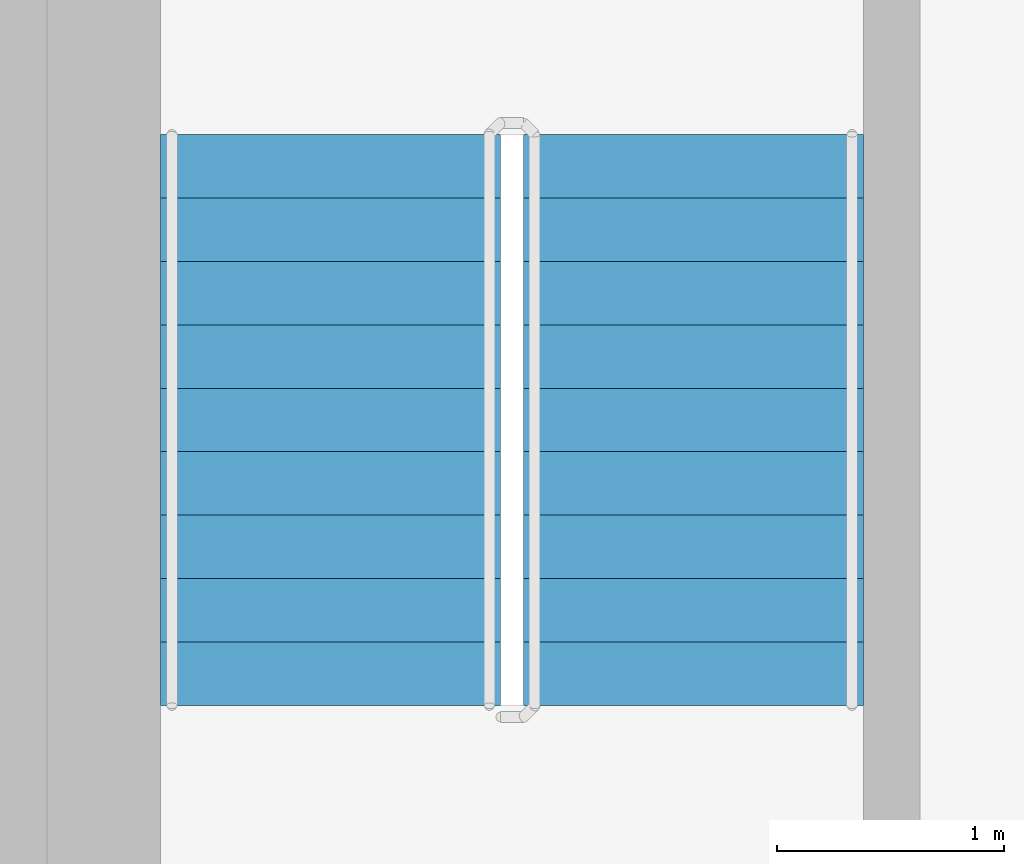
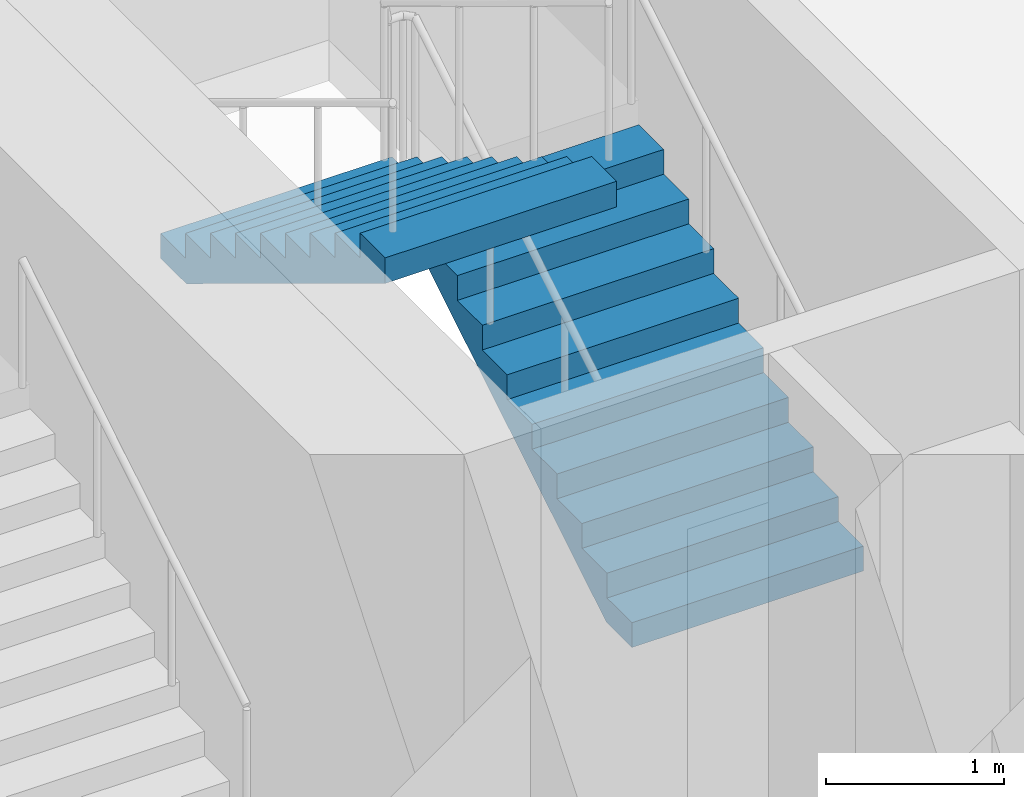
# One storey, part 14 of 22: 2 stair flights, 1 element without a shape of its own.
"""IFC4 building model written with IfcOpenShell, lengths in metres."""

from ifc_helpers import new_model, si_unit, direction, frame, origin, place, context, subcontext, project, spatial, triangles, source, transform, mapped, material, type_object, element, aggregate, save


model = new_model("IFC4")

# Units and contexts
model_context = context("Model", 3, precision=1e-05, world=origin(), true_north=direction((0.0, 1.0)))
body_context = subcontext(model_context, "Body", "Model", "MODEL_VIEW")
ifc_project = project(units=[si_unit("LENGTHUNIT", "METRE"), si_unit("AREAUNIT", "SQUARE_METRE"), si_unit("VOLUMEUNIT", "CUBIC_METRE"), si_unit("PLANEANGLEUNIT", "RADIAN"), si_unit("MASSUNIT", "GRAM", prefix="KILO")], contexts=[model_context])

# Site, building, storey
site_placement = place(None, origin())
site = spatial("IfcSite", under=ifc_project, at=site_placement, CompositionType="ELEMENT")
building_placement = place(site_placement, origin())
building = spatial("IfcBuilding", under=site, at=building_placement, Name="Kilnfold Tower and Market Hall", CompositionType="ELEMENT")
storey_placement = place(building_placement, frame((0.0, 0.0, 206.699951171875)))
storey = spatial("IfcBuildingStorey", under=building, at=storey_placement, Name="L50", CompositionType="ELEMENT", Elevation=206.699951171875)

# Stair, stair flights
ifc_material_1 = material(Name="Concrete C40/50", Category="concrete")
stair_type = type_object("IfcStairType", Name="CORE STAIR 1500", PredefinedType="HALF_TURN_STAIR", material=ifc_material_1)
stair_placement = place(storey_placement, origin())
stair = element("IfcStair", 1, at=stair_placement, inside=storey, type_object=stair_type, Name="L50 ST5", PredefinedType="HALF_TURN_STAIR")
ifc_material_2 = material(Name="Concrete C40/50", Category="concrete")
stair_flight_type = type_object("IfcStairFlightType", Name="CORE STAIR FLIGHT 1500", PredefinedType="STRAIGHT", material=ifc_material_2)
shared_shape = source(origin(), body_context, "Body", "Tessellation", [
    triangles([(0.0, 0.75, 0.0), (0.0, 0.65625, 0.0), (0.0, 0.5625, 0.0), (0.0, 0.46875, 0.0), (0.0, 0.375, 0.0), (0.0, 0.28125, 0.0), (0.0, 0.1875, 0.0), (0.0, 0.09375, 0.0), (0.0, 0.0, 0.0), (0.0, -0.09375, 0.0), (0.0, -0.1875, 0.0), (0.0, -0.28125, 0.0), (0.0, -0.375, 0.0), (0.0, -0.46875, 0.0), (0.0, -0.5625, 0.0), (0.0, -0.65625, 0.0), (0.0, -0.75, 0.0), (0.0, 0.75, 0.169921875), (0.0, 0.65625, 0.169921875), (0.0, 0.5625, 0.169921875), (0.0, 0.46875, 0.169921875), (0.0, 0.375, 0.169921875), (0.0, 0.28125, 0.169921875), (0.0, 0.1875, 0.169921875), (0.0, 0.09375, 0.169921875), (0.0, 0.0, 0.169921875), (0.0, -0.09375, 0.169921875), (0.0, -0.1875, 0.169921875), (0.0, -0.28125, 0.169921875), (0.0, -0.375, 0.169921875), (0.0, -0.46875, 0.169921875), (0.0, -0.5625, 0.169921875), (0.0, -0.65625, 0.169921875), (0.0, -0.75, 0.169921875), (0.280029296875, 0.75, 0.169921875), (0.280029296875, 0.65625, 0.169921875), (0.280029296875, 0.5625, 0.169921875), (0.280029296875, 0.46875, 0.169921875), (0.280029296875, 0.375, 0.169921875), (0.280029296875, 0.28125, 0.169921875), (0.280029296875, 0.1875, 0.169921875), (0.280029296875, 0.09375, 0.169921875), (0.280029296875, 0.0, 0.169921875), (0.280029296875, -0.09375, 0.169921875), (0.280029296875, -0.1875, 0.169921875), (0.280029296875, -0.28125, 0.169921875), (0.280029296875, -0.375, 0.169921875), (0.280029296875, -0.46875, 0.169921875), (0.280029296875, -0.5625, 0.169921875), (0.280029296875, -0.65625, 0.169921875), (0.280029296875, -0.75, 0.169921875), (0.280029296875, 0.75, 0.340087890625), (0.280029296875, 0.65625, 0.340087890625), (0.280029296875, 0.5625, 0.340087890625), (0.280029296875, 0.46875, 0.340087890625), (0.280029296875, 0.375, 0.340087890625), (0.280029296875, 0.28125, 0.340087890625), (0.280029296875, 0.1875, 0.340087890625), (0.280029296875, 0.09375, 0.340087890625), (0.280029296875, 0.0, 0.340087890625), (0.280029296875, -0.09375, 0.340087890625), (0.280029296875, -0.1875, 0.340087890625), (0.280029296875, -0.28125, 0.340087890625), (0.280029296875, -0.375, 0.340087890625), (0.280029296875, -0.46875, 0.340087890625), (0.280029296875, -0.5625, 0.340087890625), (0.280029296875, -0.65625, 0.340087890625), (0.280029296875, -0.75, 0.340087890625), (0.56005859375, 0.75, 0.340087890625), (0.56005859375, 0.65625, 0.340087890625), (0.56005859375, 0.5625, 0.340087890625), (0.56005859375, 0.46875, 0.340087890625), (0.56005859375, 0.375, 0.340087890625), (0.56005859375, 0.28125, 0.340087890625), (0.56005859375, 0.1875, 0.340087890625), (0.56005859375, 0.09375, 0.340087890625), (0.56005859375, 0.0, 0.340087890625), (0.56005859375, -0.09375, 0.340087890625), (0.56005859375, -0.1875, 0.340087890625), (0.56005859375, -0.28125, 0.340087890625), (0.56005859375, -0.375, 0.340087890625), (0.56005859375, -0.46875, 0.340087890625), (0.56005859375, -0.5625, 0.340087890625), (0.56005859375, -0.65625, 0.340087890625), (0.56005859375, -0.75, 0.340087890625), (0.56005859375, 0.75, 0.510009765625), (0.56005859375, 0.65625, 0.510009765625), (0.56005859375, 0.5625, 0.510009765625), (0.56005859375, 0.46875, 0.510009765625), (0.56005859375, 0.375, 0.510009765625), (0.56005859375, 0.28125, 0.510009765625), (0.56005859375, 0.1875, 0.510009765625), (0.56005859375, 0.09375, 0.510009765625), (0.56005859375, 0.0, 0.510009765625), (0.56005859375, -0.09375, 0.510009765625), (0.56005859375, -0.1875, 0.510009765625), (0.56005859375, -0.28125, 0.510009765625), (0.56005859375, -0.375, 0.510009765625), (0.56005859375, -0.46875, 0.510009765625), (0.56005859375, -0.5625, 0.510009765625), (0.56005859375, -0.65625, 0.510009765625), (0.56005859375, -0.75, 0.510009765625), (0.840087890625, 0.75, 0.510009765625), (0.840087890625, 0.65625, 0.510009765625), (0.840087890625, 0.5625, 0.510009765625), (0.840087890625, 0.46875, 0.510009765625), (0.840087890625, 0.375, 0.510009765625), (0.840087890625, 0.28125, 0.510009765625), (0.840087890625, 0.1875, 0.510009765625), (0.840087890625, 0.09375, 0.510009765625), (0.840087890625, 0.0, 0.510009765625), (0.840087890625, -0.09375, 0.510009765625), (0.840087890625, -0.1875, 0.510009765625), (0.840087890625, -0.28125, 0.510009765625), (0.840087890625, -0.375, 0.510009765625), (0.840087890625, -0.46875, 0.510009765625), (0.840087890625, -0.5625, 0.510009765625), (0.840087890625, -0.65625, 0.510009765625), (0.840087890625, -0.75, 0.510009765625), (0.840087890625, 0.75, 0.679931640625), (0.840087890625, 0.65625, 0.679931640625), (0.840087890625, 0.5625, 0.679931640625), (0.840087890625, 0.46875, 0.679931640625), (0.840087890625, 0.375, 0.679931640625), (0.840087890625, 0.28125, 0.679931640625), (0.840087890625, 0.1875, 0.679931640625), (0.840087890625, 0.09375, 0.679931640625), (0.840087890625, 0.0, 0.679931640625), (0.840087890625, -0.09375, 0.679931640625), (0.840087890625, -0.1875, 0.679931640625), (0.840087890625, -0.28125, 0.679931640625), (0.840087890625, -0.375, 0.679931640625), (0.840087890625, -0.46875, 0.679931640625), (0.840087890625, -0.5625, 0.679931640625), (0.840087890625, -0.65625, 0.679931640625), (0.840087890625, -0.75, 0.679931640625), (1.1201171875, 0.75, 0.679931640625), (1.1201171875, 0.65625, 0.679931640625), (1.1201171875, 0.5625, 0.679931640625), (1.1201171875, 0.46875, 0.679931640625), (1.1201171875, 0.375, 0.679931640625), (1.1201171875, 0.28125, 0.679931640625), (1.1201171875, 0.1875, 0.679931640625), (1.1201171875, 0.09375, 0.679931640625), (1.1201171875, 0.0, 0.679931640625), (1.1201171875, -0.09375, 0.679931640625), (1.1201171875, -0.1875, 0.679931640625), (1.1201171875, -0.28125, 0.679931640625), (1.1201171875, -0.375, 0.679931640625), (1.1201171875, -0.46875, 0.679931640625), (1.1201171875, -0.5625, 0.679931640625), (1.1201171875, -0.65625, 0.679931640625), (1.1201171875, -0.75, 0.679931640625), (1.1201171875, 0.75, 0.85009765625), (1.1201171875, 0.65625, 0.85009765625), (1.1201171875, 0.5625, 0.85009765625), (1.1201171875, 0.46875, 0.85009765625), (1.1201171875, 0.375, 0.85009765625), (1.1201171875, 0.28125, 0.85009765625), (1.1201171875, 0.1875, 0.85009765625), (1.1201171875, 0.09375, 0.85009765625), (1.1201171875, 0.0, 0.85009765625), (1.1201171875, -0.09375, 0.85009765625), (1.1201171875, -0.1875, 0.85009765625), (1.1201171875, -0.28125, 0.85009765625), (1.1201171875, -0.375, 0.85009765625), (1.1201171875, -0.46875, 0.85009765625), (1.1201171875, -0.5625, 0.85009765625), (1.1201171875, -0.65625, 0.85009765625), (1.1201171875, -0.75, 0.85009765625), (1.39990234375, 0.75, 0.85009765625), (1.39990234375, 0.65625, 0.85009765625), (1.39990234375, 0.5625, 0.85009765625), (1.39990234375, 0.46875, 0.85009765625), (1.39990234375, 0.375, 0.85009765625), (1.39990234375, 0.28125, 0.85009765625), (1.39990234375, 0.1875, 0.85009765625), (1.39990234375, 0.09375, 0.85009765625), (1.39990234375, 0.0, 0.85009765625), (1.39990234375, -0.09375, 0.85009765625), (1.39990234375, -0.1875, 0.85009765625), (1.39990234375, -0.28125, 0.85009765625), (1.39990234375, -0.375, 0.85009765625), (1.39990234375, -0.46875, 0.85009765625), (1.39990234375, -0.5625, 0.85009765625), (1.39990234375, -0.65625, 0.85009765625), (1.39990234375, -0.75, 0.85009765625), (1.39990234375, 0.75, 1.02001953125), (1.39990234375, 0.65625, 1.02001953125), (1.39990234375, 0.5625, 1.02001953125), (1.39990234375, 0.46875, 1.02001953125), (1.39990234375, 0.375, 1.02001953125), (1.39990234375, 0.28125, 1.02001953125), (1.39990234375, 0.1875, 1.02001953125), (1.39990234375, 0.09375, 1.02001953125), (1.39990234375, 0.0, 1.02001953125), (1.39990234375, -0.09375, 1.02001953125), (1.39990234375, -0.1875, 1.02001953125), (1.39990234375, -0.28125, 1.02001953125), (1.39990234375, -0.375, 1.02001953125), (1.39990234375, -0.46875, 1.02001953125), (1.39990234375, -0.5625, 1.02001953125), (1.39990234375, -0.65625, 1.02001953125), (1.39990234375, -0.75, 1.02001953125), (1.679931640625, 0.75, 1.02001953125), (1.679931640625, 0.65625, 1.02001953125), (1.679931640625, 0.5625, 1.02001953125), (1.679931640625, 0.46875, 1.02001953125), (1.679931640625, 0.375, 1.02001953125), (1.679931640625, 0.28125, 1.02001953125), (1.679931640625, 0.1875, 1.02001953125), (1.679931640625, 0.09375, 1.02001953125), (1.679931640625, 0.0, 1.02001953125), (1.679931640625, -0.09375, 1.02001953125), (1.679931640625, -0.1875, 1.02001953125), (1.679931640625, -0.28125, 1.02001953125), (1.679931640625, -0.375, 1.02001953125), (1.679931640625, -0.46875, 1.02001953125), (1.679931640625, -0.5625, 1.02001953125), (1.679931640625, -0.65625, 1.02001953125), (1.679931640625, -0.75, 1.02001953125), (1.679931640625, 0.75, 1.18994140625), (1.679931640625, 0.65625, 1.18994140625), (1.679931640625, 0.5625, 1.18994140625), (1.679931640625, 0.46875, 1.18994140625), (1.679931640625, 0.375, 1.18994140625), (1.679931640625, 0.28125, 1.18994140625), (1.679931640625, 0.1875, 1.18994140625), (1.679931640625, 0.09375, 1.18994140625), (1.679931640625, 0.0, 1.18994140625), (1.679931640625, -0.09375, 1.18994140625), (1.679931640625, -0.1875, 1.18994140625), (1.679931640625, -0.28125, 1.18994140625), (1.679931640625, -0.375, 1.18994140625), (1.679931640625, -0.46875, 1.18994140625), (1.679931640625, -0.5625, 1.18994140625), (1.679931640625, -0.65625, 1.18994140625), (1.679931640625, -0.75, 1.18994140625), (1.9599609375, 0.75, 1.18994140625), (1.9599609375, 0.65625, 1.18994140625), (1.9599609375, 0.5625, 1.18994140625), (1.9599609375, 0.46875, 1.18994140625), (1.9599609375, 0.375, 1.18994140625), (1.9599609375, 0.28125, 1.18994140625), (1.9599609375, 0.1875, 1.18994140625), (1.9599609375, 0.09375, 1.18994140625), (1.9599609375, 0.0, 1.18994140625), (1.9599609375, -0.09375, 1.18994140625), (1.9599609375, -0.1875, 1.18994140625), (1.9599609375, -0.28125, 1.18994140625), (1.9599609375, -0.375, 1.18994140625), (1.9599609375, -0.46875, 1.18994140625), (1.9599609375, -0.5625, 1.18994140625), (1.9599609375, -0.65625, 1.18994140625), (1.9599609375, -0.75, 1.18994140625), (1.9599609375, 0.75, 1.360107421875), (1.9599609375, 0.65625, 1.360107421875), (1.9599609375, 0.5625, 1.360107421875), (1.9599609375, 0.46875, 1.360107421875), (1.9599609375, 0.375, 1.360107421875), (1.9599609375, 0.28125, 1.360107421875), (1.9599609375, 0.1875, 1.360107421875), (1.9599609375, 0.09375, 1.360107421875), (1.9599609375, 0.0, 1.360107421875), (1.9599609375, -0.09375, 1.360107421875), (1.9599609375, -0.1875, 1.360107421875), (1.9599609375, -0.28125, 1.360107421875), (1.9599609375, -0.375, 1.360107421875), (1.9599609375, -0.46875, 1.360107421875), (1.9599609375, -0.5625, 1.360107421875), (1.9599609375, -0.65625, 1.360107421875), (1.9599609375, -0.75, 1.360107421875), (2.239990234375, 0.75, 1.360107421875), (2.239990234375, 0.65625, 1.360107421875), (2.239990234375, 0.5625, 1.360107421875), (2.239990234375, 0.46875, 1.360107421875), (2.239990234375, 0.375, 1.360107421875), (2.239990234375, 0.28125, 1.360107421875), (2.239990234375, 0.1875, 1.360107421875), (2.239990234375, 0.09375, 1.360107421875), (2.239990234375, 0.0, 1.360107421875), (2.239990234375, -0.09375, 1.360107421875), (2.239990234375, -0.1875, 1.360107421875), (2.239990234375, -0.28125, 1.360107421875), (2.239990234375, -0.375, 1.360107421875), (2.239990234375, -0.46875, 1.360107421875), (2.239990234375, -0.5625, 1.360107421875), (2.239990234375, -0.65625, 1.360107421875), (2.239990234375, -0.75, 1.360107421875), (2.239990234375, 0.75, 1.530029296875), (2.239990234375, 0.65625, 1.530029296875), (2.239990234375, 0.5625, 1.530029296875), (2.239990234375, 0.46875, 1.530029296875), (2.239990234375, 0.375, 1.530029296875), (2.239990234375, 0.28125, 1.530029296875), (2.239990234375, 0.1875, 1.530029296875), (2.239990234375, 0.09375, 1.530029296875), (2.239990234375, 0.0, 1.530029296875), (2.239990234375, -0.09375, 1.530029296875), (2.239990234375, -0.1875, 1.530029296875), (2.239990234375, -0.28125, 1.530029296875), (2.239990234375, -0.375, 1.530029296875), (2.239990234375, -0.46875, 1.530029296875), (2.239990234375, -0.5625, 1.530029296875), (2.239990234375, -0.65625, 1.530029296875), (2.239990234375, -0.75, 1.530029296875), (2.52001953125, 0.75, 1.530029296875), (2.52001953125, 0.65625, 1.530029296875), (2.52001953125, 0.5625, 1.530029296875), (2.52001953125, 0.46875, 1.530029296875), (2.52001953125, 0.375, 1.530029296875), (2.52001953125, 0.28125, 1.530029296875), (2.52001953125, 0.1875, 1.530029296875), (2.52001953125, 0.09375, 1.530029296875), (2.52001953125, 0.0, 1.530029296875), (2.52001953125, -0.09375, 1.530029296875), (2.52001953125, -0.1875, 1.530029296875), (2.52001953125, -0.28125, 1.530029296875), (2.52001953125, -0.375, 1.530029296875), (2.52001953125, -0.46875, 1.530029296875), (2.52001953125, -0.5625, 1.530029296875), (2.52001953125, -0.65625, 1.530029296875), (2.52001953125, -0.75, 1.530029296875), (2.52001953125, 0.75, 1.354736328125), (2.52001953125, 0.65625, 1.354736328125), (2.52001953125, 0.5625, 1.354736328125), (2.52001953125, 0.46875, 1.354736328125), (2.52001953125, 0.375, 1.354736328125), (2.52001953125, 0.28125, 1.354736328125), (2.52001953125, 0.1875, 1.354736328125), (2.52001953125, 0.09375, 1.354736328125), (2.52001953125, 0.0, 1.354736328125), (2.52001953125, -0.09375, 1.354736328125), (2.52001953125, -0.1875, 1.354736328125), (2.52001953125, -0.28125, 1.354736328125), (2.52001953125, -0.375, 1.354736328125), (2.52001953125, -0.46875, 1.354736328125), (2.52001953125, -0.5625, 1.354736328125), (2.52001953125, -0.65625, 1.354736328125), (2.52001953125, -0.75, 1.354736328125), (0.288818359375, 0.75, 0.0), (0.288818359375, 0.65625, 0.0), (0.288818359375, 0.5625, 0.0), (0.288818359375, 0.46875, 0.0), (0.288818359375, 0.375, 0.0), (0.288818359375, 0.28125, 0.0), (0.288818359375, 0.1875, 0.0), (0.288818359375, 0.09375, 0.0), (0.288818359375, 0.0, 0.0), (0.288818359375, -0.09375, 0.0), (0.288818359375, -0.1875, 0.0), (0.288818359375, -0.28125, 0.0), (0.288818359375, -0.375, 0.0), (0.288818359375, -0.46875, 0.0), (0.288818359375, -0.5625, 0.0), (0.288818359375, -0.65625, 0.0), (0.288818359375, -0.75, 0.0)], [[1, 324, 341], [17, 357, 340], [324, 290, 307], [340, 323, 306], [324, 273, 290], [340, 306, 289], [324, 256, 273], [340, 289, 272], [324, 239, 256], [340, 272, 255], [239, 205, 222], [255, 238, 221], [324, 205, 239], [340, 255, 221], [205, 171, 188], [221, 204, 187], [324, 171, 205], [340, 221, 187], [171, 137, 154], [187, 170, 153], [324, 137, 171], [340, 187, 153], [137, 103, 120], [153, 136, 119], [324, 103, 137], [340, 153, 119], [103, 69, 86], [119, 102, 85], [324, 69, 103], [340, 119, 85], [69, 35, 52], [85, 68, 51], [324, 35, 69], [340, 85, 51], [1, 35, 324], [17, 340, 51], [35, 1, 18], [51, 34, 17], [1, 19, 18], [1, 2, 19], [2, 20, 19], [2, 3, 20], [3, 21, 20], [3, 4, 21], [4, 22, 21], [4, 5, 22], [5, 23, 22], [5, 6, 23], [6, 24, 23], [6, 7, 24], [7, 25, 24], [7, 8, 25], [8, 26, 25], [8, 9, 26], [9, 27, 26], [9, 10, 27], [10, 28, 27], [10, 11, 28], [11, 29, 28], [11, 12, 29], [12, 30, 29], [12, 13, 30], [13, 31, 30], [13, 14, 31], [14, 32, 31], [14, 15, 32], [15, 33, 32], [15, 16, 33], [16, 34, 33], [16, 17, 34], [18, 36, 35], [18, 19, 36], [19, 37, 36], [19, 20, 37], [20, 38, 37], [20, 21, 38], [21, 39, 38], [21, 22, 39], [22, 40, 39], [22, 23, 40], [23, 41, 40], [23, 24, 41], [24, 42, 41], [24, 25, 42], [25, 43, 42], [25, 26, 43], [26, 44, 43], [26, 27, 44], [27, 45, 44], [27, 28, 45], [28, 46, 45], [28, 29, 46], [29, 47, 46], [29, 30, 47], [30, 48, 47], [30, 31, 48], [31, 49, 48], [31, 32, 49], [32, 50, 49], [32, 33, 50], [33, 51, 50], [33, 34, 51], [35, 53, 52], [35, 36, 53], [36, 54, 53], [36, 37, 54], [37, 55, 54], [37, 38, 55], [38, 56, 55], [38, 39, 56], [39, 57, 56], [39, 40, 57], [40, 58, 57], [40, 41, 58], [41, 59, 58], [41, 42, 59], [42, 60, 59], [42, 43, 60], [43, 61, 60], [43, 44, 61], [44, 62, 61], [44, 45, 62], [45, 63, 62], [45, 46, 63], [46, 64, 63], [46, 47, 64], [47, 65, 64], [47, 48, 65], [48, 66, 65], [48, 49, 66], [49, 67, 66], [49, 50, 67], [50, 68, 67], [50, 51, 68], [52, 70, 69], [52, 53, 70], [53, 71, 70], [53, 54, 71], [54, 72, 71], [54, 55, 72], [55, 73, 72], [55, 56, 73], [56, 74, 73], [56, 57, 74], [57, 75, 74], [57, 58, 75], [58, 76, 75], [58, 59, 76], [59, 77, 76], [59, 60, 77], [60, 78, 77], [60, 61, 78], [61, 79, 78], [61, 62, 79], [62, 80, 79], [62, 63, 80], [63, 81, 80], [63, 64, 81], [64, 82, 81], [64, 65, 82], [65, 83, 82], [65, 66, 83], [66, 84, 83], [66, 67, 84], [67, 85, 84], [67, 68, 85], [69, 87, 86], [69, 70, 87], [70, 88, 87], [70, 71, 88], [71, 89, 88], [71, 72, 89], [72, 90, 89], [72, 73, 90], [73, 91, 90], [73, 74, 91], [74, 92, 91], [74, 75, 92], [75, 93, 92], [75, 76, 93], [76, 94, 93], [76, 77, 94], [77, 95, 94], [77, 78, 95], [78, 96, 95], [78, 79, 96], [79, 97, 96], [79, 80, 97], [80, 98, 97], [80, 81, 98], [81, 99, 98], [81, 82, 99], [82, 100, 99], [82, 83, 100], [83, 101, 100], [83, 84, 101], [84, 102, 101], [84, 85, 102], [86, 104, 103], [86, 87, 104], [87, 105, 104], [87, 88, 105], [88, 106, 105], [88, 89, 106], [89, 107, 106], [89, 90, 107], [90, 108, 107], [90, 91, 108], [91, 109, 108], [91, 92, 109], [92, 110, 109], [92, 93, 110], [93, 111, 110], [93, 94, 111], [94, 112, 111], [94, 95, 112], [95, 113, 112], [95, 96, 113], [96, 114, 113], [96, 97, 114], [97, 115, 114], [97, 98, 115], [98, 116, 115], [98, 99, 116], [99, 117, 116], [99, 100, 117], [100, 118, 117], [100, 101, 118], [101, 119, 118], [101, 102, 119], [103, 121, 120], [103, 104, 121], [104, 122, 121], [104, 105, 122], [105, 123, 122], [105, 106, 123], [106, 124, 123], [106, 107, 124], [107, 125, 124], [107, 108, 125], [108, 126, 125], [108, 109, 126], [109, 127, 126], [109, 110, 127], [110, 128, 127], [110, 111, 128], [111, 129, 128], [111, 112, 129], [112, 130, 129], [112, 113, 130], [113, 131, 130], [113, 114, 131], [114, 132, 131], [114, 115, 132], [115, 133, 132], [115, 116, 133], [116, 134, 133], [116, 117, 134], [117, 135, 134], [117, 118, 135], [118, 136, 135], [118, 119, 136], [120, 138, 137], [120, 121, 138], [121, 139, 138], [121, 122, 139], [122, 140, 139], [122, 123, 140], [123, 141, 140], [123, 124, 141], [124, 142, 141], [124, 125, 142], [125, 143, 142], [125, 126, 143], [126, 144, 143], [126, 127, 144], [127, 145, 144], [127, 128, 145], [128, 146, 145], [128, 129, 146], [129, 147, 146], [129, 130, 147], [130, 148, 147], [130, 131, 148], [131, 149, 148], [131, 132, 149], [132, 150, 149], [132, 133, 150], [133, 151, 150], [133, 134, 151], [134, 152, 151], [134, 135, 152], [135, 153, 152], [135, 136, 153], [137, 155, 154], [137, 138, 155], [138, 156, 155], [138, 139, 156], [139, 157, 156], [139, 140, 157], [140, 158, 157], [140, 141, 158], [141, 159, 158], [141, 142, 159], [142, 160, 159], [142, 143, 160], [143, 161, 160], [143, 144, 161], [144, 162, 161], [144, 145, 162], [145, 163, 162], [145, 146, 163], [146, 164, 163], [146, 147, 164], [147, 165, 164], [147, 148, 165], [148, 166, 165], [148, 149, 166], [149, 167, 166], [149, 150, 167], [150, 168, 167], [150, 151, 168], [151, 169, 168], [151, 152, 169], [152, 170, 169], [152, 153, 170], [154, 172, 171], [154, 155, 172], [155, 173, 172], [155, 156, 173], [156, 174, 173], [156, 157, 174], [157, 175, 174], [157, 158, 175], [158, 176, 175], [158, 159, 176], [159, 177, 176], [159, 160, 177], [160, 178, 177], [160, 161, 178], [161, 179, 178], [161, 162, 179], [162, 180, 179], [162, 163, 180], [163, 181, 180], [163, 164, 181], [164, 182, 181], [164, 165, 182], [165, 183, 182], [165, 166, 183], [166, 184, 183], [166, 167, 184], [167, 185, 184], [167, 168, 185], [168, 186, 185], [168, 169, 186], [169, 187, 186], [169, 170, 187], [171, 189, 188], [171, 172, 189], [172, 190, 189], [172, 173, 190], [173, 191, 190], [173, 174, 191], [174, 192, 191], [174, 175, 192], [175, 193, 192], [175, 176, 193], [176, 194, 193], [176, 177, 194], [177, 195, 194], [177, 178, 195], [178, 196, 195], [178, 179, 196], [179, 197, 196], [179, 180, 197], [180, 198, 197], [180, 181, 198], [181, 199, 198], [181, 182, 199], [182, 200, 199], [182, 183, 200], [183, 201, 200], [183, 184, 201], [184, 202, 201], [184, 185, 202], [185, 203, 202], [185, 186, 203], [186, 204, 203], [186, 187, 204], [188, 206, 205], [188, 189, 206], [189, 207, 206], [189, 190, 207], [190, 208, 207], [190, 191, 208], [191, 209, 208], [191, 192, 209], [192, 210, 209], [192, 193, 210], [193, 211, 210], [193, 194, 211], [194, 212, 211], [194, 195, 212], [195, 213, 212], [195, 196, 213], [196, 214, 213], [196, 197, 214], [197, 215, 214], [197, 198, 215], [198, 216, 215], [198, 199, 216], [199, 217, 216], [199, 200, 217], [200, 218, 217], [200, 201, 218], [201, 219, 218], [201, 202, 219], [202, 220, 219], [202, 203, 220], [203, 221, 220], [203, 204, 221], [205, 223, 222], [205, 206, 223], [206, 224, 223], [206, 207, 224], [207, 225, 224], [207, 208, 225], [208, 226, 225], [208, 209, 226], [209, 227, 226], [209, 210, 227], [210, 228, 227], [210, 211, 228], [211, 229, 228], [211, 212, 229], [212, 230, 229], [212, 213, 230], [213, 231, 230], [213, 214, 231], [214, 232, 231], [214, 215, 232], [215, 233, 232], [215, 216, 233], [216, 234, 233], [216, 217, 234], [217, 235, 234], [217, 218, 235], [218, 236, 235], [218, 219, 236], [219, 237, 236], [219, 220, 237], [220, 238, 237], [220, 221, 238], [222, 240, 239], [222, 223, 240], [223, 241, 240], [223, 224, 241], [224, 242, 241], [224, 225, 242], [225, 243, 242], [225, 226, 243], [226, 244, 243], [226, 227, 244], [227, 245, 244], [227, 228, 245], [228, 246, 245], [228, 229, 246], [229, 247, 246], [229, 230, 247], [230, 248, 247], [230, 231, 248], [231, 249, 248], [231, 232, 249], [232, 250, 249], [232, 233, 250], [233, 251, 250], [233, 234, 251], [234, 252, 251], [234, 235, 252], [235, 253, 252], [235, 236, 253], [236, 254, 253], [236, 237, 254], [237, 255, 254], [237, 238, 255], [239, 257, 256], [239, 240, 257], [240, 258, 257], [240, 241, 258], [241, 259, 258], [241, 242, 259], [242, 260, 259], [242, 243, 260], [243, 261, 260], [243, 244, 261], [244, 262, 261], [244, 245, 262], [245, 263, 262], [245, 246, 263], [246, 264, 263], [246, 247, 264], [247, 265, 264], [247, 248, 265], [248, 266, 265], [248, 249, 266], [249, 267, 266], [249, 250, 267], [250, 268, 267], [250, 251, 268], [251, 269, 268], [251, 252, 269], [252, 270, 269], [252, 253, 270], [253, 271, 270], [253, 254, 271], [254, 272, 271], [254, 255, 272], [256, 274, 273], [256, 257, 274], [257, 275, 274], [257, 258, 275], [258, 276, 275], [258, 259, 276], [259, 277, 276], [259, 260, 277], [260, 278, 277], [260, 261, 278], [261, 279, 278], [261, 262, 279], [262, 280, 279], [262, 263, 280], [263, 281, 280], [263, 264, 281], [264, 282, 281], [264, 265, 282], [265, 283, 282], [265, 266, 283], [266, 284, 283], [266, 267, 284], [267, 285, 284], [267, 268, 285], [268, 286, 285], [268, 269, 286], [269, 287, 286], [269, 270, 287], [270, 288, 287], [270, 271, 288], [271, 289, 288], [271, 272, 289], [273, 291, 290], [273, 274, 291], [274, 292, 291], [274, 275, 292], [275, 293, 292], [275, 276, 293], [276, 294, 293], [276, 277, 294], [277, 295, 294], [277, 278, 295], [278, 296, 295], [278, 279, 296], [279, 297, 296], [279, 280, 297], [280, 298, 297], [280, 281, 298], [281, 299, 298], [281, 282, 299], [282, 300, 299], [282, 283, 300], [283, 301, 300], [283, 284, 301], [284, 302, 301], [284, 285, 302], [285, 303, 302], [285, 286, 303], [286, 304, 303], [286, 287, 304], [287, 305, 304], [287, 288, 305], [288, 306, 305], [288, 289, 306], [290, 308, 307], [290, 291, 308], [291, 309, 308], [291, 292, 309], [292, 310, 309], [292, 293, 310], [293, 311, 310], [293, 294, 311], [294, 312, 311], [294, 295, 312], [295, 313, 312], [295, 296, 313], [296, 314, 313], [296, 297, 314], [297, 315, 314], [297, 298, 315], [298, 316, 315], [298, 299, 316], [299, 317, 316], [299, 300, 317], [300, 318, 317], [300, 301, 318], [301, 319, 318], [301, 302, 319], [302, 320, 319], [302, 303, 320], [303, 321, 320], [303, 304, 321], [304, 322, 321], [304, 305, 322], [305, 323, 322], [305, 306, 323], [307, 325, 324], [307, 308, 325], [308, 326, 325], [308, 309, 326], [309, 327, 326], [309, 310, 327], [310, 328, 327], [310, 311, 328], [311, 329, 328], [311, 312, 329], [312, 330, 329], [312, 313, 330], [313, 331, 330], [313, 314, 331], [314, 332, 331], [314, 315, 332], [315, 333, 332], [315, 316, 333], [316, 334, 333], [316, 317, 334], [317, 335, 334], [317, 318, 335], [318, 336, 335], [318, 319, 336], [319, 337, 336], [319, 320, 337], [320, 338, 337], [320, 321, 338], [321, 339, 338], [321, 322, 339], [322, 340, 339], [322, 323, 340], [324, 342, 341], [324, 325, 342], [325, 343, 342], [325, 326, 343], [326, 344, 343], [326, 327, 344], [327, 345, 344], [327, 328, 345], [328, 346, 345], [328, 329, 346], [329, 347, 346], [329, 330, 347], [330, 348, 347], [330, 331, 348], [331, 349, 348], [331, 332, 349], [332, 350, 349], [332, 333, 350], [333, 351, 350], [333, 334, 351], [334, 352, 351], [334, 335, 352], [335, 353, 352], [335, 336, 353], [336, 354, 353], [336, 337, 354], [337, 355, 354], [337, 338, 355], [338, 356, 355], [338, 339, 356], [339, 357, 356], [339, 340, 357], [341, 2, 1], [341, 342, 2], [342, 3, 2], [342, 343, 3], [343, 4, 3], [343, 344, 4], [344, 5, 4], [344, 345, 5], [345, 6, 5], [345, 346, 6], [346, 7, 6], [346, 347, 7], [347, 8, 7], [347, 348, 8], [348, 9, 8], [348, 349, 9], [349, 10, 9], [349, 350, 10], [350, 11, 10], [350, 351, 11], [351, 12, 11], [351, 352, 12], [352, 13, 12], [352, 353, 13], [353, 14, 13], [353, 354, 14], [354, 15, 14], [354, 355, 15], [355, 16, 15], [355, 356, 16], [356, 17, 16], [356, 357, 17]], closed=True),
])
stair_flight_1_placement = place(storey_placement, frame((20.699951171875, 11.5, 0.0), z_axis=(0.0, 0.0, 1.0), x_axis=(0.0, 1.0, 0.0)))
stair_flight_1 = element("IfcStairFlight", 2, at=stair_flight_1_placement, type_object=stair_flight_type, Name="ST5 flight 1", NumberOfRisers=10, NumberOfTreads=9, PredefinedType="STRAIGHT", RiserHeight=0.17, TreadLength=0.28, context=body_context, shape_type="MappedRepresentation", body=[
    mapped(shared_shape, transform((0.0, 0.0, 0.0))),
])
stair_flight_2_placement = place(storey_placement, frame((19.10009765625, 14.02001953125, 1.699951171875), z_axis=(0.0, 0.0, 1.0), x_axis=(0.0, -1.0, 0.0)))
stair_flight_2 = element("IfcStairFlight", 3, at=stair_flight_2_placement, type_object=stair_flight_type, Name="ST5 flight 2", NumberOfRisers=10, NumberOfTreads=9, PredefinedType="STRAIGHT", RiserHeight=0.17, TreadLength=0.28, context=body_context, shape_type="MappedRepresentation", body=[
    mapped(shared_shape, transform((0.0, 0.0, 0.0))),
])
aggregate(stair, [stair_flight_1, stair_flight_2])

save(model, "model.ifc")
